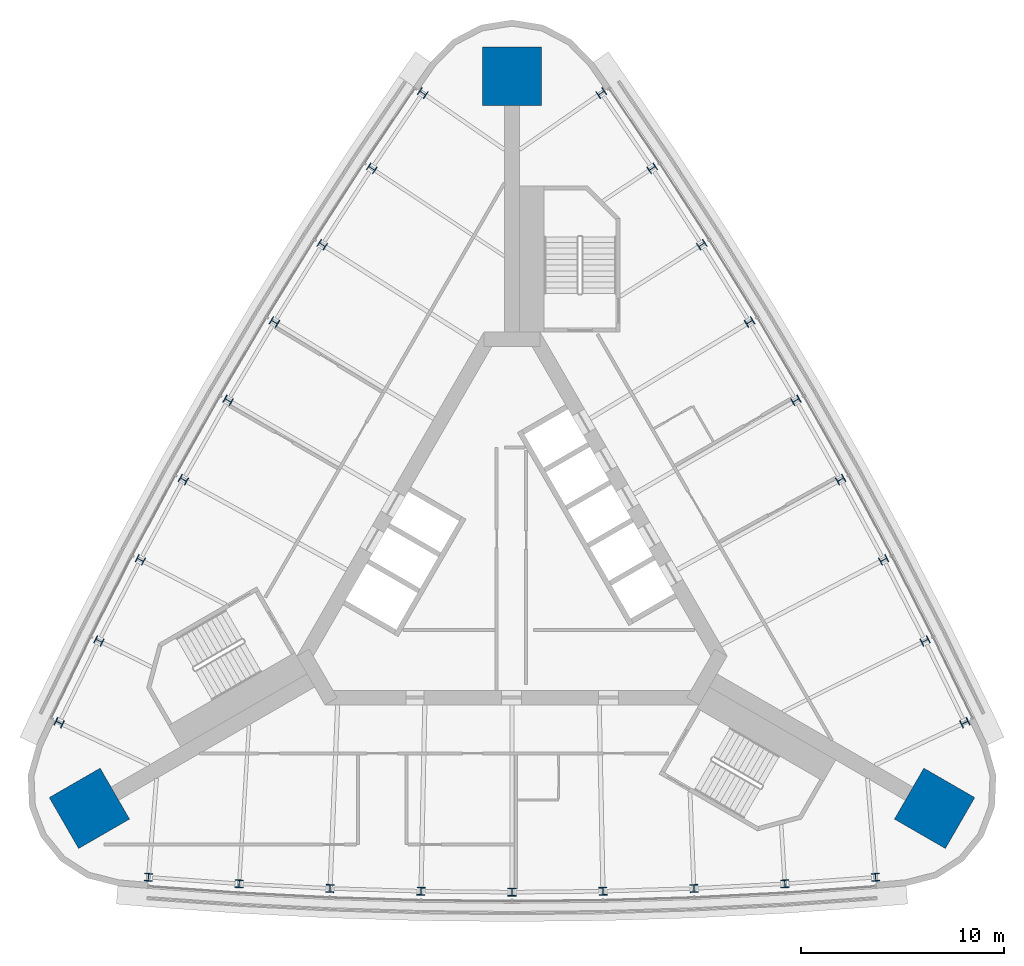
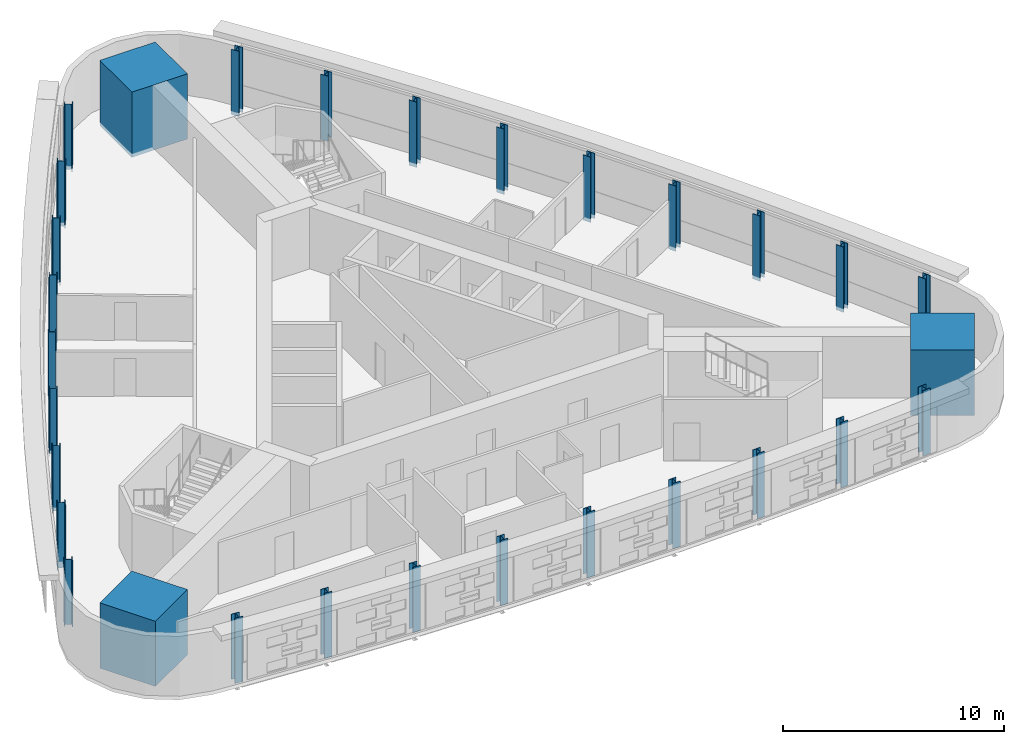
# One storey, part 1 of 13: 30 columns.
"""IFC4 building model written with IfcOpenShell, lengths in metres."""

from ifc_helpers import new_model, si_unit, direction, frame, origin, origin_2d, place, context, subcontext, project, spatial, rectangle, i_section, extrude, material, material_profile, profile_set, type_object, element, save


model = new_model("IFC4")

# Units and contexts
model_context = context("Model", 3, precision=1e-05, world=origin(), true_north=direction((0.0, 1.0)))
body_context = subcontext(model_context, "Body", "Model", "MODEL_VIEW")
ifc_project = project(units=[si_unit("LENGTHUNIT", "METRE"), si_unit("AREAUNIT", "SQUARE_METRE"), si_unit("VOLUMEUNIT", "CUBIC_METRE"), si_unit("PLANEANGLEUNIT", "RADIAN"), si_unit("MASSUNIT", "GRAM", prefix="KILO")], contexts=[model_context])

# Site, building, storey
site_placement = place(None, origin())
site = spatial("IfcSite", under=ifc_project, at=site_placement, CompositionType="ELEMENT")
building_placement = place(site_placement, origin())
building = spatial("IfcBuilding", under=site, at=building_placement, Name="Noor Cloister Tower", CompositionType="ELEMENT")
storey_placement = place(building_placement, frame((0.0, 0.0, 147.300048828125)))
storey = spatial("IfcBuildingStorey", under=building, at=storey_placement, Name="L37", CompositionType="ELEMENT", Elevation=147.300048828125)

# Columns
ifc_material_1 = material(Name="Steel ASTM A992 Gr 50", Category="steel")
ifc_material_profile_1 = material_profile(ifc_material_1, i_section(OverallWidth=0.39892578125, OverallDepth=0.385986328125, WebThickness=0.02099609375, FlangeThickness=0.033203125, FilletRadius=0.01513671875, at=origin_2d()), Name="W360x262")
ifc_profile_set_1 = profile_set([ifc_material_profile_1], Name="Steel ASTM A992 Gr 50")
column_type_1 = type_object("IfcColumnType", Name="Column W360x262", PredefinedType="COLUMN", material=ifc_profile_set_1)
for number, where, z_axis, x_axis, name in (
    (1, (-4.401123046875, 23.250244140625, -0.199951171875), (0.0, 0.0, 1.0), (-0.569265618593, -0.822153669023, 0.0), "Column NW 01 L37"),
    (2, (-6.91845703125, 19.533935546875, -0.199951171875), (0.0, 0.0, 1.0), (-0.552290209593, -0.8336519204, 0.0), "Column NW 02 L37"),
    (3, (-9.35888671875, 15.766845703125, -0.199951171875), (0.0, 0.0, 1.0), (-0.535082631987, -0.844799725939, 0.0), "Column NW 03 L37"),
    (4, (-11.7216796875, 11.950439453125, -0.199951171875), (0.0, 0.0, 1.0), (-0.517650119395, -0.855592399388, 0.0), "Column NW 04 L37"),
    (5, (-14.005859375, 8.086181640625, -0.199951171875), (0.0, 0.0, 1.0), (-0.5, -0.866025403784, 0.0), "Column NW 05 L37"),
    (6, (-16.210205078125, 4.17626953125, -0.199951171875), (0.0, 0.0, 1.0), (-0.482139693457, -0.876094353362, 0.0), "Column NW 06 L37"),
    (7, (-18.333984375, 0.2216796875, -0.199951171875), (0.0, 0.0, 1.0), (-0.46407670778, -0.885795015394, 0.0), "Column NW 07 L37"),
    (8, (-20.3759765625, -3.775390625, -0.199951171875), (0.0, 0.0, 1.0), (-0.445818636184, -0.89512331197, 0.0), "Column NW 08 L37"),
    (9, (-22.3359375, -7.813720703125, -0.199951171875), (0.0, 0.0, 1.0), (-0.427373153892, -0.904075321714, 0.0), "Column NW 09 L37"),
    (10, (-17.934814453125, -15.436767578125, -0.199951171875), (0.0, 0.0, 1.0), (0.996638772485, -0.081921652691, 0.0), "Column S 01 L37"),
    (11, (-13.457763671875, -15.758544921875, -0.199951171875), (0.0, 0.0, 1.0), (0.998108845777, -0.061471391569, 0.0), "Column S 02 L37"),
    (12, (-8.974853515625, -15.988525390625, -0.199951171875), (0.0, 0.0, 1.0), (0.999159339766, -0.040995289455, 0.0), "Column S 03 L37"),
    (13, (-4.488525390625, -16.12646484375, -0.199951171875), (0.0, 0.0, 1.0), (0.999789812852, -0.020501953975, 0.0), "Column S 04 L37"),
    (14, (0.0, -16.172607421875, -0.199951171875), (0.0, 0.0, 1.0), (1.0, 0.0, 0.0), "Column S 05 L37"),
    (15, (4.488525390625, -16.12646484375, -0.199951171875), (0.0, 0.0, 1.0), (0.999789812852, 0.020501953975, 0.0), "Column S 06 L37"),
    (16, (8.974853515625, -15.988525390625, -0.199951171875), (0.0, 0.0, 1.0), (0.999159339766, 0.040995289455, 0.0), "Column S 07 L37"),
    (17, (13.457763671875, -15.758544921875, -0.199951171875), (0.0, 0.0, 1.0), (0.998108845777, 0.061471391569, 0.0), "Column S 08 L37"),
    (18, (17.934814453125, -15.436767578125, -0.199951171875), (0.0, 0.0, 1.0), (0.996638772485, 0.081921652691, 0.0), "Column S 09 L37"),
    (19, (22.3359375, -7.813720703125, -0.199951171875), (0.0, 0.0, 1.0), (-0.427373153892, 0.904075321714, 0.0), "Column NE 01 L37"),
    (20, (20.3759765625, -3.775390625, -0.199951171875), (0.0, 0.0, 1.0), (-0.445818636184, 0.89512331197, 0.0), "Column NE 02 L37"),
    (21, (18.333984375, 0.2216796875, -0.199951171875), (0.0, 0.0, 1.0), (-0.46407670778, 0.885795015394, 0.0), "Column NE 03 L37"),
    (22, (16.210205078125, 4.17626953125, -0.199951171875), (0.0, 0.0, 1.0), (-0.482139693457, 0.876094353362, 0.0), "Column NE 04 L37"),
    (23, (14.005859375, 8.086181640625, -0.199951171875), (0.0, 0.0, 1.0), (-0.5, 0.866025403784, 0.0), "Column NE 05 L37"),
    (24, (11.7216796875, 11.950439453125, -0.199951171875), (0.0, 0.0, 1.0), (-0.517650119395, 0.855592399388, 0.0), "Column NE 06 L37"),
    (25, (9.35888671875, 15.766845703125, -0.199951171875), (0.0, 0.0, 1.0), (-0.535082631987, 0.844799725939, 0.0), "Column NE 07 L37"),
    (26, (6.91845703125, 19.533935546875, -0.199951171875), (0.0, 0.0, 1.0), (-0.552290209593, 0.8336519204, 0.0), "Column NE 08 L37"),
    (27, (4.401123046875, 23.250244140625, -0.199951171875), (0.0, 0.0, 1.0), (-0.569265618593, 0.822153669023, 0.0), "Column NE 09 L37"),
):
    element("IfcColumn", number, at=place(storey_placement, frame(where, z_axis=z_axis, x_axis=x_axis)), inside=storey, type_object=column_type_1, Name=name, PredefinedType="COLUMN", context=body_context, shape_type="SweptSolid", body=[
        extrude(i_section(OverallWidth=0.39892578125, OverallDepth=0.385986328125, WebThickness=0.02099609375, FlangeThickness=0.033203125, FilletRadius=0.01513671875, at=origin_2d()), origin(), (0.0, 0.0, 1.0), 3.599853515625),
    ])
ifc_material_2 = material(Name="Concrete C70/85", Category="concrete")
ifc_material_profile_2 = material_profile(ifc_material_2, rectangle(XDim=2.89990234375, YDim=2.89990234375, at=origin_2d()), Name="RC 2900x2900")
ifc_profile_set_2 = profile_set([ifc_material_profile_2], Name="Concrete C70/85")
column_type_2 = type_object("IfcColumnType", Name="Corner pier 2900 x 2900 C70/85", PredefinedType="COLUMN", material=ifc_profile_set_2)
for number, where, z_axis, x_axis, name in (
    (28, (0.0, 24.072998046875, -0.199951171875), (0.0, 0.0, 1.0), (0.0, 1.0, 0.0), "Corner pier N L37"),
    (29, (-20.847900390625, -12.03662109375, -0.199951171875), (0.0, 0.0, 1.0), (-0.866025403784, -0.5, 0.0), "Corner pier SW L37"),
    (30, (20.847900390625, -12.03662109375, -0.199951171875), (0.0, 0.0, 1.0), (0.866025403784, -0.5, 0.0), "Corner pier SE L37"),
):
    element("IfcColumn", number, at=place(storey_placement, frame(where, z_axis=z_axis, x_axis=x_axis)), inside=storey, type_object=column_type_2, Name=name, PredefinedType="COLUMN", context=body_context, shape_type="SweptSolid", body=[
        extrude(rectangle(XDim=2.89990234375, YDim=2.89990234375, at=origin_2d()), origin(), (0.0, 0.0, 1.0), 3.599853515625),
    ])

save(model, "model.ifc")
